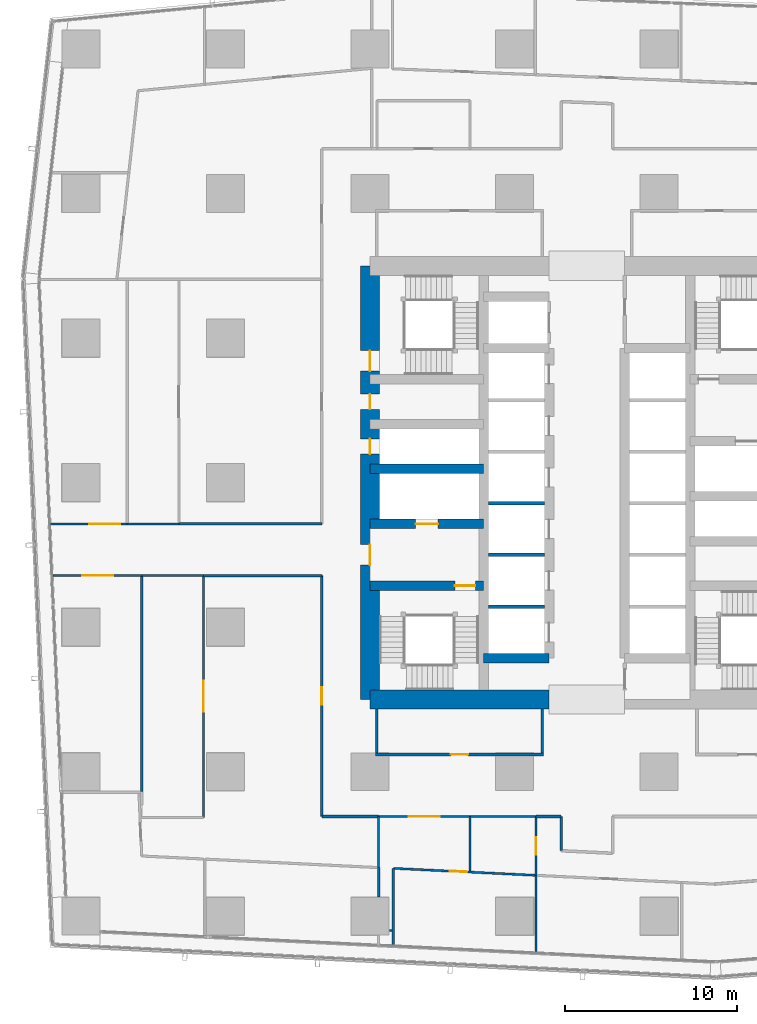
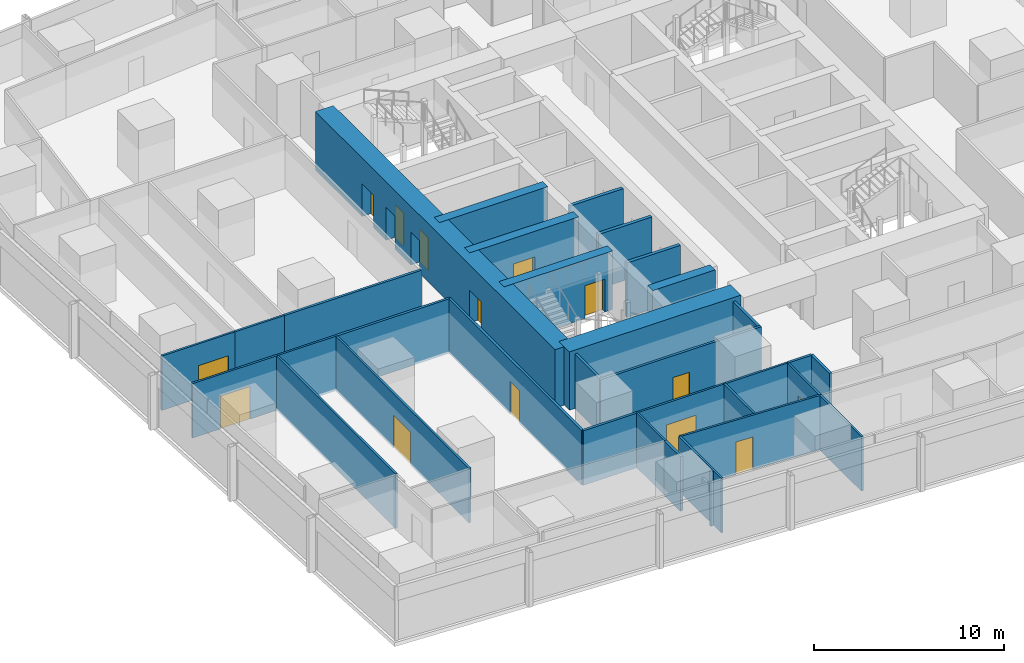
# One storey, part 32 of 45: 34 walls, 14 doors, 14 openings.
"""IFC4 building model written with IfcOpenShell, lengths in metres."""

from ifc_helpers import new_model, si_unit, direction, frame, frame_2d, origin, place, context, subcontext, project, spatial, rectangle, extrude, material, layer, layer_set, type_object, element, fill, save


model = new_model("IFC4")

# Units and contexts
model_context = context("Model", 3, precision=1e-05, world=origin(), true_north=direction((0.0, 1.0)))
body_context = subcontext(model_context, "Body", "Model", "MODEL_VIEW")
ifc_project = project(units=[si_unit("LENGTHUNIT", "METRE"), si_unit("AREAUNIT", "SQUARE_METRE"), si_unit("VOLUMEUNIT", "CUBIC_METRE"), si_unit("PLANEANGLEUNIT", "RADIAN"), si_unit("MASSUNIT", "GRAM", prefix="KILO")], contexts=[model_context])

# Site, building, storey
site_placement = place(None, origin())
site = spatial("IfcSite", under=ifc_project, at=site_placement, CompositionType="ELEMENT")
building_placement = place(site_placement, origin())
building = spatial("IfcBuilding", under=site, at=building_placement, Name="Rekha Terrace Tower", CompositionType="ELEMENT")
storey_placement = place(building_placement, frame((0.0, 0.0, 32.89990234375)))
storey = spatial("IfcBuildingStorey", under=building, at=storey_placement, Name="L07", CompositionType="ELEMENT", Elevation=32.89990234375)

# Wall
ifc_material_1 = material(Name="Concrete M70", Category="concrete")
ifc_layer_1 = layer(ifc_material_1, 0.550048828125)
ifc_layer_set_1 = layer_set([ifc_layer_1], Name="Concrete M70")
wall_type_1 = type_object("IfcWallType", Name="CI1 550 core internal shear wall", PredefinedType="SHEAR", material=ifc_layer_set_1)
wall_1_placement = place(storey_placement, frame((31.800048828125, 23.39990234375, 0.0), z_axis=(0.0, 0.0, 1.0), x_axis=(1.0, 0.0, 0.0)))
element("IfcWall", 1, at=wall_1_placement, inside=storey, type_object=wall_type_1, Name="Core wall Y234W L07", PredefinedType="SHEAR", context=body_context, shape_type="SweptSolid", body=[
    extrude(rectangle(XDim=3.800048828125, YDim=0.550048828125, at=frame_2d((1.89990234375, 0.0))), origin(), (0.0, 0.0, 1.0), 3.75),
])

# Wall, opening, door
wall_2_placement = place(storey_placement, frame((25.199951171875, 27.60009765625, 0.0), z_axis=(0.0, 0.0, 1.0), x_axis=(1.0, 0.0, 0.0)))
wall_2 = element("IfcWall", 2, at=wall_2_placement, inside=storey, type_object=wall_type_1, Name="Core wall Y276W L07", PredefinedType="SHEAR", context=body_context, shape_type="SweptSolid", body=[
    extrude(rectangle(XDim=6.60009765625, YDim=0.550048828125, at=frame_2d((3.300048828125, 0.0))), origin(), (0.0, 0.0, 1.0), 3.75),
])
opening_1_placement = place(wall_2_placement, frame((4.925048828125, 0.0, 0.0)))
opening_1 = element("IfcOpeningElement", 3, at=opening_1_placement, cuts=wall_2, Name="Opening D1", PredefinedType="OPENING", context=body_context, shape_type="SweptSolid", body=[
    extrude(rectangle(XDim=1.199951171875, YDim=2.10009765625, at=frame_2d((0.60009765625, 1.050048828125))), frame((0.0, 0.284912109375, 0.0), z_axis=(0.0, -1.0, 0.0), x_axis=(1.0, 0.0, 0.0)), (0.0, 0.0, 1.0), 0.570068359375),
])
ifc_material_2 = material(Name="Steel fire door", Category="steel")
door_type_1 = type_object("IfcDoorType", Name="D1 1200x2100 stair fire door", OperationType="SINGLE_SWING_RIGHT", PredefinedType="DOOR", material=ifc_material_2)
door_1_placement = place(opening_1_placement, origin())
door_1 = element("IfcDoor", 4, at=door_1_placement, inside=storey, type_object=door_type_1, Name="Stair ST1 door L07", OperationType="SINGLE_SWING_RIGHT", OverallHeight=2.10009765625, OverallWidth=1.199951171875, PredefinedType="DOOR", context=body_context, shape_type="SweptSolid", body=[
    extrude(rectangle(XDim=1.199951171875, YDim=2.10009765625, at=frame_2d((0.60009765625, 1.050048828125))), frame((0.0, 0.02490234375, 0.0), z_axis=(0.0, -1.0, 0.0), x_axis=(1.0, 0.0, 0.0)), (0.0, 0.0, 1.0), 0.050048828125),
])
fill(opening_1, door_1)

wall_3_placement = place(storey_placement, frame((25.199951171875, 31.199951171875, 0.0), z_axis=(0.0, 0.0, 1.0), x_axis=(1.0, 0.0, 0.0)))
wall_3 = element("IfcWall", 5, at=wall_3_placement, inside=storey, type_object=wall_type_1, Name="Core wall Y312W L07", PredefinedType="SHEAR", context=body_context, shape_type="SweptSolid", body=[
    extrude(rectangle(XDim=6.60009765625, YDim=0.550048828125, at=frame_2d((3.300048828125, 0.0))), origin(), (0.0, 0.0, 1.0), 3.75),
])
opening_2_placement = place(wall_3_placement, frame((2.64990234375, 0.0, 0.0)))
opening_2 = element("IfcOpeningElement", 6, at=opening_2_placement, cuts=wall_3, Name="Opening LD2", PredefinedType="OPENING", context=body_context, shape_type="SweptSolid", body=[
    extrude(rectangle(XDim=1.300048828125, YDim=2.10009765625, at=frame_2d((0.64990234375, 1.050048828125))), frame((0.0, 0.284912109375, 0.0), z_axis=(0.0, -1.0, 0.0), x_axis=(1.0, 0.0, 0.0)), (0.0, 0.0, 1.0), 0.570068359375),
])
ifc_material_3 = material(Name="Stainless steel sliding landing door", Category="steel")
door_type_2 = type_object("IfcDoorType", Name="LD2 1300x2100 fire lift landing door", OperationType="SLIDING_TO_LEFT", PredefinedType="USERDEFINED", material=ifc_material_3)
door_2_placement = place(opening_2_placement, origin())
door_2 = element("IfcDoor", 7, at=door_2_placement, inside=storey, type_object=door_type_2, Name="Lift FL1 landing door L07", ObjectType="LIFT LANDING DOOR", OperationType="SLIDING_TO_LEFT", OverallHeight=2.10009765625, OverallWidth=1.300048828125, PredefinedType="USERDEFINED", context=body_context, shape_type="SweptSolid", body=[
    extrude(rectangle(XDim=1.300048828125, YDim=2.10009765625, at=frame_2d((0.64990234375, 1.050048828125))), frame((0.0, 0.02490234375, 0.0), z_axis=(0.0, -1.0, 0.0), x_axis=(1.0, 0.0, 0.0)), (0.0, 0.0, 1.0), 0.050048828125),
])
fill(opening_2, door_2)

# Walls
wall_4_placement = place(storey_placement, frame((25.199951171875, 34.39990234375, 0.0), z_axis=(0.0, 0.0, 1.0), x_axis=(1.0, 0.0, 0.0)))
element("IfcWall", 8, at=wall_4_placement, inside=storey, type_object=wall_type_1, Name="Core wall Y344W L07", PredefinedType="SHEAR", context=body_context, shape_type="SweptSolid", body=[
    extrude(rectangle(XDim=6.60009765625, YDim=0.550048828125, at=frame_2d((3.300048828125, 0.0))), origin(), (0.0, 0.0, 1.0), 3.75),
])
ifc_layer_2 = layer(ifc_material_1, 1.10009765625)
ifc_layer_set_2 = layer_set([ifc_layer_2], Name="Concrete M70")
wall_type_2 = type_object("IfcWallType", Name="SW1 1100 core outer shear wall", PredefinedType="SHEAR", material=ifc_layer_set_2)
wall_5_placement = place(storey_placement, frame((25.199951171875, 21.0, 0.0), z_axis=(0.0, 0.0, 1.0), x_axis=(1.0, 0.0, 0.0)))
element("IfcWall", 9, at=wall_5_placement, inside=storey, type_object=wall_type_2, Name="Core wall S1 L07", PredefinedType="SHEAR", context=body_context, shape_type="SweptSolid", body=[
    extrude(rectangle(XDim=10.400146484375, YDim=1.10009765625, at=frame_2d((5.2001953125, 0.0))), origin(), (0.0, 0.0, 1.0), 3.75),
])

# Wall, openings, doors
wall_6_placement = place(storey_placement, frame((25.199951171875, 21.0, 0.0), z_axis=(0.0, 0.0, 1.0), x_axis=(0.0, 1.0, 0.0)))
wall_6 = element("IfcWall", 10, at=wall_6_placement, inside=storey, type_object=wall_type_2, Name="Core wall W L07", PredefinedType="SHEAR", context=body_context, shape_type="SweptSolid", body=[
    extrude(rectangle(XDim=25.199951171875, YDim=1.10009765625, at=frame_2d((12.60009765625, 0.0))), origin(), (0.0, 0.0, 1.0), 3.75),
])
opening_3_placement = place(wall_6_placement, frame((7.800048828125, 0.0, 0.0)))
opening_3 = element("IfcOpeningElement", 11, at=opening_3_placement, cuts=wall_6, Name="Opening D2", PredefinedType="OPENING", context=body_context, shape_type="SweptSolid", body=[
    extrude(rectangle(XDim=1.199951171875, YDim=2.10009765625, at=frame_2d((0.60009765625, 1.050048828125))), frame((0.0, 0.56005859375, 0.0), z_axis=(0.0, -1.0, 0.0), x_axis=(1.0, 0.0, 0.0)), (0.0, 0.0, 1.0), 1.1201171875),
])
opening_4_placement = place(wall_6_placement, frame((14.25, 0.0, 0.0)))
opening_4 = element("IfcOpeningElement", 12, at=opening_4_placement, cuts=wall_6, Name="Opening D5", PredefinedType="OPENING", context=body_context, shape_type="SweptSolid", body=[
    extrude(rectangle(XDim=0.89990234375, YDim=2.10009765625, at=frame_2d((0.449951171875, 1.050048828125))), frame((0.0, 0.56005859375, 0.0), z_axis=(0.0, -1.0, 0.0), x_axis=(1.0, 0.0, 0.0)), (0.0, 0.0, 1.0), 1.1201171875),
])
opening_5_placement = place(wall_6_placement, frame((16.85009765625, 0.0, 0.0)))
opening_5 = element("IfcOpeningElement", 13, at=opening_5_placement, cuts=wall_6, Name="Opening D5", PredefinedType="OPENING", context=body_context, shape_type="SweptSolid", body=[
    extrude(rectangle(XDim=0.89990234375, YDim=2.10009765625, at=frame_2d((0.449951171875, 1.050048828125))), frame((0.0, 0.56005859375, 0.0), z_axis=(0.0, -1.0, 0.0), x_axis=(1.0, 0.0, 0.0)), (0.0, 0.0, 1.0), 1.1201171875),
])
opening_6_placement = place(wall_6_placement, frame((19.074951171875, 0.0, 0.0)))
opening_6 = element("IfcOpeningElement", 14, at=opening_6_placement, cuts=wall_6, Name="Opening D1", PredefinedType="OPENING", context=body_context, shape_type="SweptSolid", body=[
    extrude(rectangle(XDim=1.199951171875, YDim=2.10009765625, at=frame_2d((0.60009765625, 1.050048828125))), frame((0.0, 0.56005859375, 0.0), z_axis=(0.0, -1.0, 0.0), x_axis=(1.0, 0.0, 0.0)), (0.0, 0.0, 1.0), 1.1201171875),
])
door_3_placement = place(opening_6_placement, origin())
door_3 = element("IfcDoor", 15, at=door_3_placement, inside=storey, type_object=door_type_1, Name="Stair ST4 door L07", OperationType="SINGLE_SWING_RIGHT", OverallHeight=2.10009765625, OverallWidth=1.199951171875, PredefinedType="DOOR", context=body_context, shape_type="SweptSolid", body=[
    extrude(rectangle(XDim=1.199951171875, YDim=2.10009765625, at=frame_2d((0.60009765625, 1.050048828125))), frame((0.0, 0.02490234375, 0.0), z_axis=(0.0, -1.0, 0.0), x_axis=(1.0, 0.0, 0.0)), (0.0, 0.0, 1.0), 0.050048828125),
])
fill(opening_6, door_3)
door_type_3 = type_object("IfcDoorType", Name="D2 1200x2100 firefighting lobby door", OperationType="SINGLE_SWING_LEFT", PredefinedType="DOOR", material=ifc_material_2)
door_4_placement = place(opening_3_placement, origin())
door_4 = element("IfcDoor", 16, at=door_4_placement, inside=storey, type_object=door_type_3, Name="Door flb1 L07", OperationType="SINGLE_SWING_LEFT", OverallHeight=2.10009765625, OverallWidth=1.199951171875, PredefinedType="DOOR", context=body_context, shape_type="SweptSolid", body=[
    extrude(rectangle(XDim=1.199951171875, YDim=2.10009765625, at=frame_2d((0.60009765625, 1.050048828125))), frame((0.0, 0.02490234375, 0.0), z_axis=(0.0, -1.0, 0.0), x_axis=(1.0, 0.0, 0.0)), (0.0, 0.0, 1.0), 0.050048828125),
])
fill(opening_3, door_4)
door_type_4 = type_object("IfcDoorType", Name="D5 900x2100 riser access door", OperationType="SINGLE_SWING_LEFT", PredefinedType="DOOR", material=ifc_material_2)
door_5_placement = place(opening_4_placement, origin())
door_5 = element("IfcDoor", 17, at=door_5_placement, inside=storey, type_object=door_type_4, Name="Door rs1 L07", OperationType="SINGLE_SWING_LEFT", OverallHeight=2.10009765625, OverallWidth=0.89990234375, PredefinedType="DOOR", context=body_context, shape_type="SweptSolid", body=[
    extrude(rectangle(XDim=0.89990234375, YDim=2.10009765625, at=frame_2d((0.449951171875, 1.050048828125))), frame((0.0, 0.02490234375, 0.0), z_axis=(0.0, -1.0, 0.0), x_axis=(1.0, 0.0, 0.0)), (0.0, 0.0, 1.0), 0.050048828125),
])
fill(opening_4, door_5)
door_6_placement = place(opening_5_placement, origin())
door_6 = element("IfcDoor", 18, at=door_6_placement, inside=storey, type_object=door_type_4, Name="Door elw L07", OperationType="SINGLE_SWING_LEFT", OverallHeight=2.10009765625, OverallWidth=0.89990234375, PredefinedType="DOOR", context=body_context, shape_type="SweptSolid", body=[
    extrude(rectangle(XDim=0.89990234375, YDim=2.10009765625, at=frame_2d((0.449951171875, 1.050048828125))), frame((0.0, 0.02490234375, 0.0), z_axis=(0.0, -1.0, 0.0), x_axis=(1.0, 0.0, 0.0)), (0.0, 0.0, 1.0), 0.050048828125),
])
fill(opening_5, door_6)

# Wall, opening, door
ifc_material_4 = material(Name="Concrete block masonry, 1 hour", Category="masonry")
ifc_layer_3 = layer(ifc_material_4, 0.14990234375)
ifc_layer_set_3 = layer_set([ifc_layer_3], Name="Concrete block masonry, 1 hour")
wall_type_3 = type_object("IfcWallType", Name="WP2 150 tenancy partition", PredefinedType="PARTITIONING", material=ifc_layer_set_3)
wall_7_placement = place(storey_placement, frame((25.52490234375, 17.800048828125, 0.0), z_axis=(0.0, 0.0, 1.0), x_axis=(1.0, 0.0, 0.0)))
wall_7 = element("IfcWall", 19, at=wall_7_placement, inside=storey, type_object=wall_type_3, Name="Men's WC wall L07", PredefinedType="PARTITIONING", context=body_context, shape_type="SweptSolid", body=[
    extrude(rectangle(XDim=9.75, YDim=0.14990234375, at=frame_2d((4.875, 0.0))), origin(), (0.0, 0.0, 1.0), 3.5),
])
opening_7_placement = place(wall_7_placement, frame((4.375, 0.0, 0.0)))
opening_7 = element("IfcOpeningElement", 20, at=opening_7_placement, cuts=wall_7, Name="Opening D3", PredefinedType="OPENING", context=body_context, shape_type="SweptSolid", body=[
    extrude(rectangle(XDim=1.0, YDim=2.10009765625, at=frame_2d((0.5, 1.050048828125))), frame((0.0, 0.0849609375, 0.0), z_axis=(0.0, -1.0, 0.0), x_axis=(1.0, 0.0, 0.0)), (0.0, 0.0, 1.0), 0.169921875),
])
ifc_material_5 = material(Name="Laminated timber fire door", Category="wood")
door_type_5 = type_object("IfcDoorType", Name="D3 1000x2100 WC door", OperationType="SINGLE_SWING_LEFT", PredefinedType="DOOR", material=ifc_material_5)
door_7_placement = place(opening_7_placement, origin())
door_7 = element("IfcDoor", 21, at=door_7_placement, inside=storey, type_object=door_type_5, Name="Door men's wc L07", OperationType="SINGLE_SWING_LEFT", OverallHeight=2.10009765625, OverallWidth=1.0, PredefinedType="DOOR", context=body_context, shape_type="SweptSolid", body=[
    extrude(rectangle(XDim=1.0, YDim=2.10009765625, at=frame_2d((0.5, 1.050048828125))), frame((0.0, 0.02490234375, 0.0), z_axis=(0.0, -1.0, 0.0), x_axis=(1.0, 0.0, 0.0)), (0.0, 0.0, 1.0), 0.050048828125),
])
fill(opening_7, door_7)

# Walls
for number, where, z_axis, x_axis, name in (
    (22, (25.60009765625, 17.875, 0.0), (0.0, 0.0, 1.0), (0.0, 1.0, 0.0), "Men's WC wall L07"),
    (23, (35.199951171875, 17.875, 0.0), (0.0, 0.0, 1.0), (0.0, 1.0, 0.0), "Men's WC wall L07"),
):
    element("IfcWall", number, at=place(storey_placement, frame(where, z_axis=z_axis, x_axis=x_axis)), inside=storey, type_object=wall_type_3, Name=name, PredefinedType="PARTITIONING", context=body_context, shape_type="SweptSolid", body=[
        extrude(rectangle(XDim=2.574951171875, YDim=0.14990234375, at=frame_2d((1.28759765625, 0.0))), origin(), (0.0, 0.0, 1.0), 3.5),
    ])
wall_8_placement = place(storey_placement, frame((34.840087890625, 14.199951171875, 0.0), z_axis=(0.0, 0.0, 1.0), x_axis=(1.0, 0.0, 0.0)))
element("IfcWall", 24, at=wall_8_placement, inside=storey, type_object=wall_type_3, Name="Partition L07-O1", PredefinedType="PARTITIONING", context=body_context, shape_type="SweptSolid", body=[
    extrude(rectangle(XDim=1.4599609375, YDim=0.14990234375, at=frame_2d((0.72998046875, 0.0))), origin(), (0.0, 0.0, 1.0), 3.5),
])
wall_9_placement = place(storey_placement, frame((36.300048828125, 14.199951171875, 0.0), z_axis=(0.0, 0.0, 1.0), x_axis=(0.0, -1.0, 0.0)))
element("IfcWall", 25, at=wall_9_placement, inside=storey, type_object=wall_type_3, Name="Partition L07-O1", PredefinedType="PARTITIONING", context=body_context, shape_type="SweptSolid", body=[
    extrude(rectangle(XDim=1.989990234375, YDim=0.14990234375, at=frame_2d((0.9951171875, 0.0))), origin(), (0.0, 0.0, 1.0), 3.5),
])
wall_10_placement = place(storey_placement, frame((22.39990234375, 31.199951171875, 0.0), z_axis=(0.0, 0.0, 1.0), x_axis=(-1.0, 0.0, 0.0)))
element("IfcWall", 26, at=wall_10_placement, inside=storey, type_object=wall_type_3, Name="Partition L07-O5", PredefinedType="PARTITIONING", context=body_context, shape_type="SweptSolid", body=[
    extrude(rectangle(XDim=8.309814453125, YDim=0.14990234375, at=frame_2d((4.15478515625, 0.0))), origin(), (0.0, 0.0, 1.0), 3.5),
])
wall_11_placement = place(storey_placement, frame((15.52392578125, 28.199951171875, 0.0), z_axis=(0.0, 0.0, 1.0), x_axis=(1.0, 0.0, 0.0)))
element("IfcWall", 27, at=wall_11_placement, inside=storey, type_object=wall_type_3, Name="Partition L07-O6", PredefinedType="PARTITIONING", context=body_context, shape_type="SweptSolid", body=[
    extrude(rectangle(XDim=6.8759765625, YDim=0.14990234375, at=frame_2d((3.43798828125, 0.0))), origin(), (0.0, 0.0, 1.0), 3.5),
])

# Wall, opening, door
wall_12_placement = place(storey_placement, frame((22.39990234375, 28.199951171875, 0.0), z_axis=(0.0, 0.0, 1.0), x_axis=(0.0, -1.0, 0.0)))
wall_12 = element("IfcWall", 28, at=wall_12_placement, inside=storey, type_object=wall_type_3, Name="Partition L07-O6", PredefinedType="PARTITIONING", context=body_context, shape_type="SweptSolid", body=[
    extrude(rectangle(XDim=14.0, YDim=0.14990234375, at=frame_2d((7.0, 0.0))), origin(), (0.0, 0.0, 1.0), 3.5),
])
opening_8_placement = place(wall_12_placement, frame((6.5, 0.0, 0.0)))
opening_8 = element("IfcOpeningElement", 29, at=opening_8_placement, cuts=wall_12, Name="Opening D9", PredefinedType="OPENING", context=body_context, shape_type="SweptSolid", body=[
    extrude(rectangle(XDim=1.0, YDim=2.10009765625, at=frame_2d((0.5, 1.050048828125))), frame((0.0, 0.0849609375, 0.0), z_axis=(0.0, -1.0, 0.0), x_axis=(1.0, 0.0, 0.0)), (0.0, 0.0, 1.0), 0.169921875),
])
ifc_material_6 = material(Name="Timber fire door", Category="wood")
door_type_6 = type_object("IfcDoorType", Name="D9 1000x2100 office door", OperationType="SINGLE_SWING_LEFT", PredefinedType="DOOR", material=ifc_material_6)
door_8_placement = place(opening_8_placement, origin())
door_8 = element("IfcDoor", 30, at=door_8_placement, inside=storey, type_object=door_type_6, Name="Door open-plan office L07", OperationType="SINGLE_SWING_LEFT", OverallHeight=2.10009765625, OverallWidth=1.0, PredefinedType="DOOR", context=body_context, shape_type="SweptSolid", body=[
    extrude(rectangle(XDim=1.0, YDim=2.10009765625, at=frame_2d((0.5, 1.050048828125))), frame((0.0, 0.02490234375, 0.0), z_axis=(0.0, -1.0, 0.0), x_axis=(1.0, 0.0, 0.0)), (0.0, 0.0, 1.0), 0.050048828125),
])
fill(opening_8, door_8)

# Walls
wall_13_placement = place(storey_placement, frame((22.39990234375, 14.199951171875, 0.0), z_axis=(0.0, 0.0, 1.0), x_axis=(1.0, 0.0, 0.0)))
element("IfcWall", 31, at=wall_13_placement, inside=storey, type_object=wall_type_3, Name="Partition L07-O6", PredefinedType="PARTITIONING", context=body_context, shape_type="SweptSolid", body=[
    extrude(rectangle(XDim=3.297119140625, YDim=0.14990234375, at=frame_2d((1.6484375, 0.0))), origin(), (0.0, 0.0, 1.0), 3.5),
])
wall_14_placement = place(storey_placement, frame((25.697021484375, 11.22900390625, 0.0), z_axis=(0.0, 0.0, 1.0), x_axis=(0.0, -1.0, 0.0)))
element("IfcWall", 32, at=wall_14_placement, inside=storey, type_object=wall_type_3, Name="Partition L07-O6", PredefinedType="PARTITIONING", context=body_context, shape_type="SweptSolid", body=[
    extrude(rectangle(XDim=1.708984375, YDim=0.14990234375, at=frame_2d((0.8544921875, 0.0))), origin(), (0.0, 0.0, 1.0), 3.5),
])
ifc_material_7 = material(Name="Two layers of fire-rated gypsum board each side on steel studs, acoustic quilt, 1 hour", Category="steel")
ifc_layer_4 = layer(ifc_material_7, 0.125)
ifc_layer_set_4 = layer_set([ifc_layer_4], Name="Two layers of fire-rated gypsum board each side on steel studs, acoustic quilt, 1 hour")
wall_type_4 = type_object("IfcWallType", Name="WP3 125 office partition", PredefinedType="PARTITIONING", material=ifc_layer_set_4)
wall_15_placement = place(storey_placement, frame((34.841064453125, 6.35400390625, 0.0), z_axis=(0.0, 0.0, 1.0), x_axis=(0.0, 1.0, 0.0)))
element("IfcWall", 33, at=wall_15_placement, inside=storey, type_object=wall_type_4, Name="Partition L07-02", PredefinedType="PARTITIONING", context=body_context, shape_type="SweptSolid", body=[
    extrude(rectangle(XDim=4.426025390625, YDim=0.125, at=frame_2d((2.212890625, 0.0))), origin(), (0.0, 0.0, 1.0), 3.5),
])

# Wall, opening, door
wall_16_placement = place(storey_placement, frame((26.548095703125, 11.18701171875, 0.0), z_axis=(0.0, 0.0, 1.0), x_axis=(0.998797680893, -0.049022368804, 0.0)))
wall_16 = element("IfcWall", 34, at=wall_16_placement, inside=storey, type_object=wall_type_4, Name="Partition L07-06", PredefinedType="PARTITIONING", context=body_context, shape_type="SweptSolid", body=[
    extrude(rectangle(XDim=8.302001953125, YDim=0.125, at=frame_2d((4.15087890625, 0.0))), origin(), (0.0, 0.0, 1.0), 3.5),
])
opening_9_placement = place(wall_16_placement, frame((3.291015625, 0.0, 0.0)))
opening_9 = element("IfcOpeningElement", 35, at=opening_9_placement, cuts=wall_16, Name="Opening D9", PredefinedType="OPENING", context=body_context, shape_type="SweptSolid", body=[
    extrude(rectangle(XDim=1.0, YDim=2.10009765625, at=frame_2d((0.5, 1.050048828125))), frame((0.0, 0.072509765625, 0.0), z_axis=(0.0, -1.0, 0.0), x_axis=(1.0, 0.0, 0.0)), (0.0, 0.0, 1.0), 0.14501953125),
])
door_9_placement = place(opening_9_placement, origin())
door_9 = element("IfcDoor", 36, at=door_9_placement, inside=storey, type_object=door_type_6, Name="Door meeting room L07", OperationType="SINGLE_SWING_LEFT", OverallHeight=2.10009765625, OverallWidth=1.0, PredefinedType="DOOR", context=body_context, shape_type="SweptSolid", body=[
    extrude(rectangle(XDim=1.0, YDim=2.10009765625, at=frame_2d((0.5, 1.050048828125))), frame((0.0, 0.02490234375, 0.0), z_axis=(0.0, -1.0, 0.0), x_axis=(1.0, 0.0, 0.0)), (0.0, 0.0, 1.0), 0.050048828125),
])
fill(opening_9, door_9)

# Walls
wall_17_placement = place(storey_placement, frame((26.548095703125, 6.73193359375, 0.0), z_axis=(0.0, 0.0, 1.0), x_axis=(0.0, 1.0, 0.0)))
element("IfcWall", 37, at=wall_17_placement, inside=storey, type_object=wall_type_4, Name="Partition L07-06", PredefinedType="PARTITIONING", context=body_context, shape_type="SweptSolid", body=[
    extrude(rectangle(XDim=4.455078125, YDim=0.125, at=frame_2d((2.2275390625, 0.0))), origin(), (0.0, 0.0, 1.0), 3.5),
])
wall_18_placement = place(storey_placement, frame((25.697021484375, 11.22900390625, 0.0), z_axis=(0.0, 0.0, 1.0), x_axis=(0.0, 1.0, 0.0)))
element("IfcWall", 38, at=wall_18_placement, inside=storey, type_object=wall_type_4, Name="Partition L07-07", PredefinedType="PARTITIONING", context=body_context, shape_type="SweptSolid", body=[
    extrude(rectangle(XDim=2.970947265625, YDim=0.125, at=frame_2d((1.4853515625, 0.0))), origin(), (0.0, 0.0, 1.0), 3.5),
])

# Wall, opening, door
wall_19_placement = place(storey_placement, frame((25.697021484375, 14.199951171875, 0.0), z_axis=(0.0, 0.0, 1.0), x_axis=(1.0, 0.0, 0.0)))
wall_19 = element("IfcWall", 39, at=wall_19_placement, inside=storey, type_object=wall_type_4, Name="Partition L07-07", PredefinedType="PARTITIONING", context=body_context, shape_type="SweptSolid", body=[
    extrude(rectangle(XDim=5.302978515625, YDim=0.125, at=frame_2d((2.6513671875, 0.0))), origin(), (0.0, 0.0, 1.0), 3.5),
])
opening_10_placement = place(wall_19_placement, frame((1.751953125, 0.0, 0.0)))
opening_10 = element("IfcOpeningElement", 40, at=opening_10_placement, cuts=wall_19, Name="Opening D8", PredefinedType="OPENING", context=body_context, shape_type="SweptSolid", body=[
    extrude(rectangle(XDim=1.800048828125, YDim=2.10009765625, at=frame_2d((0.89990234375, 1.050048828125))), frame((0.0, 0.072509765625, 0.0), z_axis=(0.0, -1.0, 0.0), x_axis=(1.0, 0.0, 0.0)), (0.0, 0.0, 1.0), 0.14501953125),
])
door_type_7 = type_object("IfcDoorType", Name="D8 1800x2100 double leaf door", OperationType="DOUBLE_DOOR_SINGLE_SWING", PredefinedType="DOOR", material=ifc_material_6)
door_10_placement = place(opening_10_placement, origin())
door_10 = element("IfcDoor", 41, at=door_10_placement, inside=storey, type_object=door_type_7, Name="Door reception L07", OperationType="DOUBLE_DOOR_SINGLE_SWING", OverallHeight=2.10009765625, OverallWidth=1.800048828125, PredefinedType="DOOR", context=body_context, shape_type="SweptSolid", body=[
    extrude(rectangle(XDim=1.800048828125, YDim=2.10009765625, at=frame_2d((0.89990234375, 1.050048828125))), frame((0.0, 0.02490234375, 0.0), z_axis=(0.0, -1.0, 0.0), x_axis=(1.0, 0.0, 0.0)), (0.0, 0.0, 1.0), 0.050048828125),
])
fill(opening_10, door_10)

# Walls
wall_20_placement = place(storey_placement, frame((31.0, 14.199951171875, 0.0), z_axis=(0.0, 0.0, 1.0), x_axis=(0.0, -1.0, 0.0)))
element("IfcWall", 42, at=wall_20_placement, inside=storey, type_object=wall_type_4, Name="Partition L07-07", PredefinedType="PARTITIONING", context=body_context, shape_type="SweptSolid", body=[
    extrude(rectangle(XDim=3.1689453125, YDim=0.125, at=frame_2d((1.58447265625, 0.0))), origin(), (0.0, 0.0, 1.0), 3.5),
])
wall_21_placement = place(storey_placement, frame((26.485107421875, 7.583984375, 0.0), z_axis=(0.0, 0.0, 1.0), x_axis=(-1.0, 0.0, 0.0)))
element("IfcWall", 43, at=wall_21_placement, inside=storey, type_object=wall_type_4, Name="Partition L07-07", PredefinedType="PARTITIONING", context=body_context, shape_type="SweptSolid", body=[
    extrude(rectangle(XDim=0.1650390625, YDim=0.125, at=frame_2d((0.08251953125, 0.0))), origin(), (0.0, 0.0, 1.0), 3.5),
])
wall_22_placement = place(storey_placement, frame((31.0, 14.199951171875, 0.0), z_axis=(0.0, 0.0, 1.0), x_axis=(1.0, 0.0, 0.0)))
element("IfcWall", 44, at=wall_22_placement, inside=storey, type_object=wall_type_4, Name="Partition L07-08", PredefinedType="PARTITIONING", context=body_context, shape_type="SweptSolid", body=[
    extrude(rectangle(XDim=3.840087890625, YDim=0.125, at=frame_2d((1.919921875, 0.0))), origin(), (0.0, 0.0, 1.0), 3.5),
])

# Wall, opening, door
wall_23_placement = place(storey_placement, frame((34.840087890625, 14.199951171875, 0.0), z_axis=(0.0, 0.0, 1.0), x_axis=(0.0, -1.0, 0.0)))
wall_23 = element("IfcWall", 45, at=wall_23_placement, inside=storey, type_object=wall_type_4, Name="Partition L07-08", PredefinedType="PARTITIONING", context=body_context, shape_type="SweptSolid", body=[
    extrude(rectangle(XDim=3.419921875, YDim=0.125, at=frame_2d((1.7099609375, 0.0))), origin(), (0.0, 0.0, 1.0), 3.5),
])
opening_11_placement = place(wall_23_placement, frame((1.2099609375, 0.0, 0.0)))
opening_11 = element("IfcOpeningElement", 46, at=opening_11_placement, cuts=wall_23, Name="Opening D9", PredefinedType="OPENING", context=body_context, shape_type="SweptSolid", body=[
    extrude(rectangle(XDim=1.0, YDim=2.10009765625, at=frame_2d((0.5, 1.050048828125))), frame((0.0, 0.072509765625, 0.0), z_axis=(0.0, -1.0, 0.0), x_axis=(1.0, 0.0, 0.0)), (0.0, 0.0, 1.0), 0.14501953125),
])
door_11_placement = place(opening_11_placement, origin())
door_11 = element("IfcDoor", 47, at=door_11_placement, inside=storey, type_object=door_type_6, Name="Door print room L07", OperationType="SINGLE_SWING_LEFT", OverallHeight=2.10009765625, OverallWidth=1.0, PredefinedType="DOOR", context=body_context, shape_type="SweptSolid", body=[
    extrude(rectangle(XDim=1.0, YDim=2.10009765625, at=frame_2d((0.5, 1.050048828125))), frame((0.0, 0.02490234375, 0.0), z_axis=(0.0, -1.0, 0.0), x_axis=(1.0, 0.0, 0.0)), (0.0, 0.0, 1.0), 0.050048828125),
])
fill(opening_11, door_11)

wall_24_placement = place(storey_placement, frame((11.090087890625, 31.199951171875, 0.0), z_axis=(0.0, 0.0, 1.0), x_axis=(-1.0, 0.0, 0.0)))
wall_24 = element("IfcWall", 48, at=wall_24_placement, inside=storey, type_object=wall_type_4, Name="Partition L07-20", PredefinedType="PARTITIONING", context=body_context, shape_type="SweptSolid", body=[
    extrude(rectangle(XDim=4.455078125, YDim=0.125, at=frame_2d((2.2275390625, 0.0))), origin(), (0.0, 0.0, 1.0), 3.5),
])
opening_12_placement = place(wall_24_placement, frame((0.412109375, 0.0, 0.0)))
opening_12 = element("IfcOpeningElement", 49, at=opening_12_placement, cuts=wall_24, Name="Opening D8", PredefinedType="OPENING", context=body_context, shape_type="SweptSolid", body=[
    extrude(rectangle(XDim=1.800048828125, YDim=2.10009765625, at=frame_2d((0.89990234375, 1.050048828125))), frame((0.0, 0.072509765625, 0.0), z_axis=(0.0, -1.0, 0.0), x_axis=(1.0, 0.0, 0.0)), (0.0, 0.0, 1.0), 0.14501953125),
])
door_12_placement = place(opening_12_placement, origin())
door_12 = element("IfcDoor", 50, at=door_12_placement, inside=storey, type_object=door_type_7, Name="Door meeting room L07", OperationType="DOUBLE_DOOR_SINGLE_SWING", OverallHeight=2.10009765625, OverallWidth=1.800048828125, PredefinedType="DOOR", context=body_context, shape_type="SweptSolid", body=[
    extrude(rectangle(XDim=1.800048828125, YDim=2.10009765625, at=frame_2d((0.89990234375, 1.050048828125))), frame((0.0, 0.02490234375, 0.0), z_axis=(0.0, -1.0, 0.0), x_axis=(1.0, 0.0, 0.0)), (0.0, 0.0, 1.0), 0.050048828125),
])
fill(opening_12, door_12)

# Wall
wall_25_placement = place(storey_placement, frame((14.090087890625, 31.199951171875, 0.0), z_axis=(0.0, 0.0, 1.0), x_axis=(-1.0, 0.0, 0.0)))
element("IfcWall", 51, at=wall_25_placement, inside=storey, type_object=wall_type_4, Name="Partition L07-21", PredefinedType="PARTITIONING", context=body_context, shape_type="SweptSolid", body=[
    extrude(rectangle(XDim=3.0, YDim=0.125, at=frame_2d((1.5, 0.0))), origin(), (0.0, 0.0, 1.0), 3.5),
])

# Wall, opening, door
wall_26_placement = place(storey_placement, frame((6.76708984375, 28.199951171875, 0.0), z_axis=(0.0, 0.0, 1.0), x_axis=(1.0, 0.0, 0.0)))
wall_26 = element("IfcWall", 52, at=wall_26_placement, inside=storey, type_object=wall_type_4, Name="Partition L07-22", PredefinedType="PARTITIONING", context=body_context, shape_type="SweptSolid", body=[
    extrude(rectangle(XDim=5.1669921875, YDim=0.125, at=frame_2d((2.58349609375, 0.0))), origin(), (0.0, 0.0, 1.0), 3.5),
])
opening_13_placement = place(wall_26_placement, frame((1.697998046875, 0.0, 0.0)))
opening_13 = element("IfcOpeningElement", 53, at=opening_13_placement, cuts=wall_26, Name="Opening D8", PredefinedType="OPENING", context=body_context, shape_type="SweptSolid", body=[
    extrude(rectangle(XDim=1.800048828125, YDim=2.10009765625, at=frame_2d((0.89990234375, 1.050048828125))), frame((0.0, 0.072509765625, 0.0), z_axis=(0.0, -1.0, 0.0), x_axis=(1.0, 0.0, 0.0)), (0.0, 0.0, 1.0), 0.14501953125),
])
door_13_placement = place(opening_13_placement, origin())
door_13 = element("IfcDoor", 54, at=door_13_placement, inside=storey, type_object=door_type_7, Name="Door breakout lounge L07", OperationType="DOUBLE_DOOR_SINGLE_SWING", OverallHeight=2.10009765625, OverallWidth=1.800048828125, PredefinedType="DOOR", context=body_context, shape_type="SweptSolid", body=[
    extrude(rectangle(XDim=1.800048828125, YDim=2.10009765625, at=frame_2d((0.89990234375, 1.050048828125))), frame((0.0, 0.02490234375, 0.0), z_axis=(0.0, -1.0, 0.0), x_axis=(1.0, 0.0, 0.0)), (0.0, 0.0, 1.0), 0.050048828125),
])
fill(opening_13, door_13)

# Wall
wall_27_placement = place(storey_placement, frame((11.93408203125, 28.199951171875, 0.0), z_axis=(0.0, 0.0, 1.0), x_axis=(0.0, -1.0, 0.0)))
element("IfcWall", 55, at=wall_27_placement, inside=storey, type_object=wall_type_4, Name="Partition L07-22", PredefinedType="PARTITIONING", context=body_context, shape_type="SweptSolid", body=[
    extrude(rectangle(XDim=12.556884765625, YDim=0.125, at=frame_2d((6.2783203125, 0.0))), origin(), (0.0, 0.0, 1.0), 3.5),
])

# Wall, opening, door
wall_28_placement = place(storey_placement, frame((15.52392578125, 28.199951171875, 0.0), z_axis=(0.0, 0.0, 1.0), x_axis=(0.0, -1.0, 0.0)))
wall_28 = element("IfcWall", 56, at=wall_28_placement, inside=storey, type_object=wall_type_4, Name="Partition L07-24", PredefinedType="PARTITIONING", context=body_context, shape_type="SweptSolid", body=[
    extrude(rectangle(XDim=14.050048828125, YDim=0.125, at=frame_2d((7.02490234375, 0.0))), origin(), (0.0, 0.0, 1.0), 3.5),
])
opening_14_placement = place(wall_28_placement, frame((6.125, 0.0, 0.0)))
opening_14 = element("IfcOpeningElement", 57, at=opening_14_placement, cuts=wall_28, Name="Opening D8", PredefinedType="OPENING", context=body_context, shape_type="SweptSolid", body=[
    extrude(rectangle(XDim=1.800048828125, YDim=2.10009765625, at=frame_2d((0.89990234375, 1.050048828125))), frame((0.0, 0.072509765625, 0.0), z_axis=(0.0, -1.0, 0.0), x_axis=(1.0, 0.0, 0.0)), (0.0, 0.0, 1.0), 0.14501953125),
])
door_14_placement = place(opening_14_placement, origin())
door_14 = element("IfcDoor", 58, at=door_14_placement, inside=storey, type_object=door_type_7, Name="Door print room L07", OperationType="DOUBLE_DOOR_SINGLE_SWING", OverallHeight=2.10009765625, OverallWidth=1.800048828125, PredefinedType="DOOR", context=body_context, shape_type="SweptSolid", body=[
    extrude(rectangle(XDim=1.800048828125, YDim=2.10009765625, at=frame_2d((0.89990234375, 1.050048828125))), frame((0.0, 0.02490234375, 0.0), z_axis=(0.0, -1.0, 0.0), x_axis=(1.0, 0.0, 0.0)), (0.0, 0.0, 1.0), 0.050048828125),
])
fill(opening_14, door_14)

# Walls
wall_29_placement = place(storey_placement, frame((11.93408203125, 28.199951171875, 0.0), z_axis=(0.0, 0.0, 1.0), x_axis=(1.0, 0.0, 0.0)))
element("IfcWall", 59, at=wall_29_placement, inside=storey, type_object=wall_type_4, Name="Partition L07-24", PredefinedType="PARTITIONING", context=body_context, shape_type="SweptSolid", body=[
    extrude(rectangle(XDim=3.58984375, YDim=0.125, at=frame_2d((1.794921875, 0.0))), origin(), (0.0, 0.0, 1.0), 3.5),
])
ifc_material_8 = material(Name="Solid concrete block masonry, 2 hour", Category="masonry")
ifc_layer_5 = layer(ifc_material_8, 0.199951171875)
ifc_layer_set_5 = layer_set([ifc_layer_5], Name="Solid concrete block masonry, 2 hour")
wall_type_5 = type_object("IfcWallType", Name="WS1 200 stair and shaft enclosure", PredefinedType="PARTITIONING", material=ifc_layer_set_5)
for number, where, z_axis, x_axis, name in (
    (60, (32.074951171875, 26.39990234375, 0.0), (0.0, 0.0, 1.0), (1.0, 0.0, 0.0), "Lift shaft divider L07"),
    (61, (32.074951171875, 29.39990234375, 0.0), (0.0, 0.0, 1.0), (1.0, 0.0, 0.0), "Lift shaft divider L07"),
    (62, (32.074951171875, 32.39990234375, 0.0), (0.0, 0.0, 1.0), (1.0, 0.0, 0.0), "Lift shaft divider L07"),
):
    element("IfcWall", number, at=place(storey_placement, frame(where, z_axis=z_axis, x_axis=x_axis)), inside=storey, type_object=wall_type_5, Name=name, PredefinedType="PARTITIONING", context=body_context, shape_type="SweptSolid", body=[
        extrude(rectangle(XDim=3.25, YDim=0.199951171875, at=frame_2d((1.625, 0.0))), origin(), (0.0, 0.0, 1.0), 3.5),
    ])

save(model, "model.ifc")
